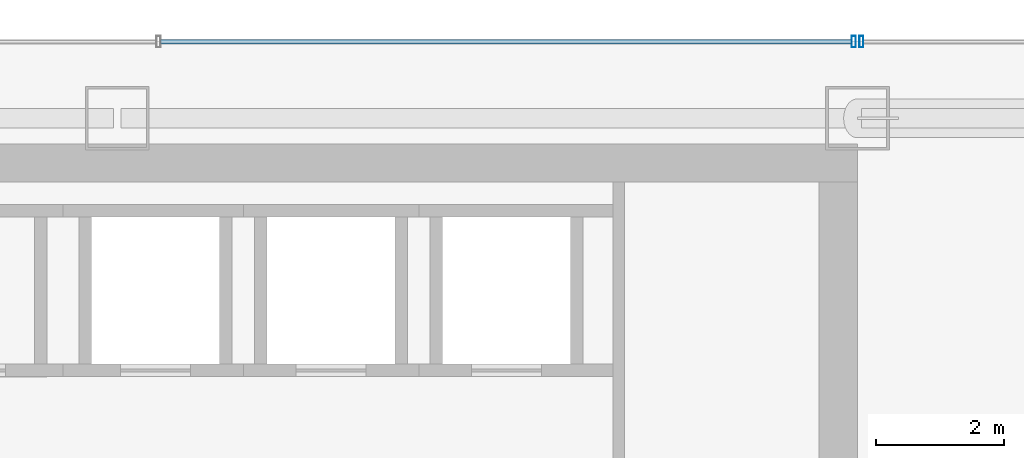
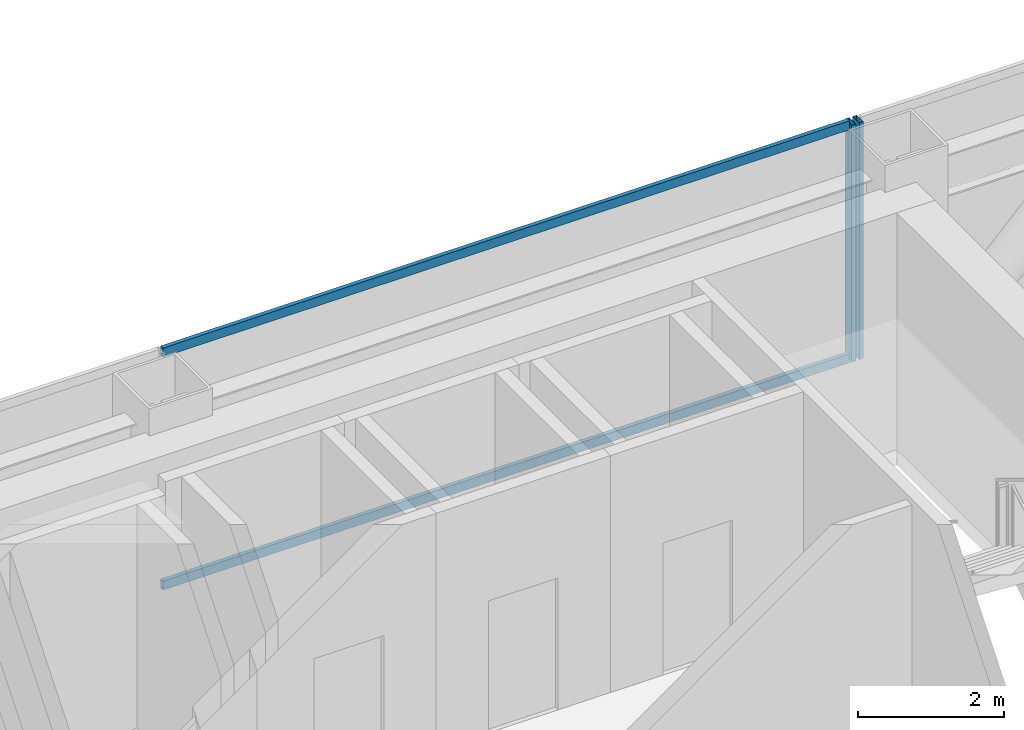
# One storey, part 26 of 36: 4 members, 2 elements without a shape of their own.
"""IFC4 building model written with IfcOpenShell, lengths in metres."""

import ifcopenshell
import ifcopenshell.guid

model = None  # the IFC model being written
_history = None  # IfcOwnerHistory: only IFC2X3 demands one
_inside = {}  # id of a spatial element -> (the spatial element, [elements in it])
_under = {}  # id of a project, library or spatial element -> (it, [spatial elements below it])
_declared = {}  # id of a project -> (the project, [libraries it declares])
_typed = {}  # id of a type object -> (the type object, [elements of that type])
_made_of = {}  # id of a material, layer set ... -> (it, [elements and type objects made of it])


def new_model(schema):
    """Start an empty IFC model of exactly this schema.

    Asked for "IFC4X3", IfcOpenShell would pick the latest addendum, in which some entities
    have other attributes; the version numbers below select the first issue.
    IFC2X3 requires an IfcOwnerHistory on every rooted entity: one is made here for all.
    """
    global model, _history
    if schema == "IFC4X3":
        model = ifcopenshell.file(schema_version=(4, 3, 0, 0))
    else:
        model = ifcopenshell.file(schema=schema)
    _inside.clear()
    _under.clear()
    _declared.clear()
    _typed.clear()
    _made_of.clear()
    _history = None
    if model.schema == "IFC2X3":
        org = make("IfcOrganization", Name="unknown")
        user = make(
            "IfcPersonAndOrganization",
            ThePerson=make("IfcPerson", FamilyName="unknown"),
            TheOrganization=org,
        )
        app = make(
            "IfcApplication",
            ApplicationDeveloper=org,
            Version="unknown",
            ApplicationFullName="unknown",
            ApplicationIdentifier="unknown",
        )
        _history = make(
            "IfcOwnerHistory",
            OwningUser=user,
            OwningApplication=app,
            ChangeAction="ADDED",
            CreationDate=0,
        )
    return model


def make(cls, **values):
    """One entity of the class cls with the attributes given. An attribute that is None is left unset."""
    return model.create_entity(
        cls, **{name: value for name, value in values.items() if value is not None}
    )


def rooted(cls, **values):
    """An entity with a GlobalId (a new one), such as an element, a storey or a relation."""
    return make(cls, GlobalId=ifcopenshell.guid.new(), OwnerHistory=_history, **values)


def si_unit(unit_type, name, prefix=None):
    """IfcSIUnit, for example si_unit("LENGTHUNIT", "METRE", prefix="MILLI")."""
    return make("IfcSIUnit", UnitType=unit_type, Prefix=prefix, Name=name)


def assignment(units):
    """IfcUnitAssignment: the units of a project."""
    return None if units is None else make("IfcUnitAssignment", Units=units)


def point(xyz):
    """IfcCartesianPoint."""
    return None if xyz is None else make("IfcCartesianPoint", Coordinates=xyz)


def direction(xyz):
    """IfcDirection."""
    return None if xyz is None else make("IfcDirection", DirectionRatios=xyz)


def frame(location, z_axis=None, x_axis=None):
    """IfcAxis2Placement3D, a coordinate frame: its origin and axes. An axis left out is left unset."""
    return make(
        "IfcAxis2Placement3D",
        Location=point(location),
        Axis=direction(z_axis),
        RefDirection=direction(x_axis),
    )


def frame_2d(location, x_axis=None):
    """IfcAxis2Placement2D, a coordinate frame in the plane: its origin and x axis."""
    return make(
        "IfcAxis2Placement2D", Location=point(location), RefDirection=direction(x_axis)
    )


def origin():
    """The frame at (0, 0, 0) with its axes left unset."""
    return frame((0.0, 0.0, 0.0))


def origin_2d():
    """The frame at (0, 0) in the plane with its x axis left unset."""
    return frame_2d((0.0, 0.0))


def place(relative_to, where):
    """IfcLocalPlacement: puts the frame where relative to a parent placement (None: the world)."""
    return make(
        "IfcLocalPlacement", PlacementRelTo=relative_to, RelativePlacement=where
    )


def context(
    kind, dimensions, precision=None, world=None, true_north=None, identifier=None
):
    """IfcGeometricRepresentationContext, for example the 3D "Model" context."""
    return make(
        "IfcGeometricRepresentationContext",
        ContextIdentifier=identifier,
        ContextType=kind,
        CoordinateSpaceDimension=dimensions,
        Precision=precision,
        WorldCoordinateSystem=world,
        TrueNorth=true_north,
    )


def subcontext(parent, identifier, kind, view, scale=None):
    """IfcGeometricRepresentationSubContext, for example "Body" below "Model"."""
    return make(
        "IfcGeometricRepresentationSubContext",
        ContextIdentifier=identifier,
        ContextType=kind,
        ParentContext=parent,
        TargetScale=scale,
        TargetView=view,
    )


def project(units=None, contexts=None):
    """IfcProject with its units and contexts."""
    return rooted(
        "IfcProject",
        Name="project",
        RepresentationContexts=contexts,
        UnitsInContext=assignment(units),
    )


def spatial(cls, under=None, at=None, **own):
    """A site, building, storey or space (cls), placed at a placement, below another one or the project."""
    s = rooted(cls, ObjectPlacement=at, **own)
    if under is not None:
        _under.setdefault(under.id(), (under, []))[1].append(s)
    return s


def profile(cls, at=None, kind="AREA", **sizes):
    """A parametric profile (cls). Its sizes go by their IFC names, for example OverallWidth=200.0."""
    return make(cls, ProfileType=kind, Position=at, **sizes)


def hollow_rectangle(**sizes):
    """IfcRectangleHollowProfileDef."""
    return profile("IfcRectangleHollowProfileDef", **sizes)


def extrude(swept, where, along, depth):
    """IfcExtrudedAreaSolid: the profile swept, set in the frame where, extruded along a direction by depth."""
    return make(
        "IfcExtrudedAreaSolid",
        SweptArea=swept,
        Position=where,
        ExtrudedDirection=direction(along),
        Depth=depth,
    )


def shape(context_of_items, identifier, shape_type, items):
    """IfcShapeRepresentation: the items that make up one representation, for example the "Body"."""
    return make(
        "IfcShapeRepresentation",
        ContextOfItems=context_of_items,
        RepresentationIdentifier=identifier,
        RepresentationType=shape_type,
        Items=items,
    )


def material(Name=None, Category=None):
    """IfcMaterial."""
    return make("IfcMaterial", Name=Name, Category=Category)


def material_profile(
    of_material, cross_section, Name=None, Category=None, Priority=None
):
    """IfcMaterialProfile: a cross section and its material."""
    return make(
        "IfcMaterialProfile",
        Name=Name,
        Material=of_material,
        Profile=cross_section,
        Priority=Priority,
        Category=Category,
    )


def profile_set(profiles, Name=None, composite=None):
    """IfcMaterialProfileSet."""
    return make(
        "IfcMaterialProfileSet",
        Name=Name,
        MaterialProfiles=profiles,
        CompositeProfile=composite,
    )


def made_of(thing, what):
    """Note that an element or type object is made of a material, layer set ...; save() writes the relation."""
    if what is not None:
        _made_of.setdefault(what.id(), (what, []))[1].append(thing)
    return thing


def type_object(cls, material=None, **own):
    """A type object (cls), such as IfcWallType, which elements share."""
    return made_of(rooted(cls, **own), material)


def element(
    cls,
    number,
    at=None,
    inside=None,
    cuts=None,
    type_object=None,
    material=None,
    context=None,
    identifier="Body",
    shape_type=None,
    held_by="IfcProductDefinitionShape",
    body=None,
    shapes=None,
    **own,
):
    """One element of the class cls, such as IfcWall. Its Tag is "e" and its number.

    at: its placement. inside: the storey or other place that contains it. cuts: it is an
    opening in that element (IfcRelVoidsElement). A single representation is given by context,
    identifier, shape_type and body (its items); several are given by shapes. held_by: the class
    of the entity that holds the representations. save() writes the other relations.
    """
    e = rooted(cls, Tag="e%d" % number, ObjectPlacement=at, **own)
    if body is not None:
        shapes = [shape(context, identifier, shape_type, body)]
    if shapes is not None:
        e.Representation = make(held_by, Representations=shapes)
    if inside is not None:
        _inside.setdefault(inside.id(), (inside, []))[1].append(e)
    if cuts is not None:
        rooted(
            "IfcRelVoidsElement", RelatingBuildingElement=cuts, RelatedOpeningElement=e
        )
    if type_object is not None:
        _typed.setdefault(type_object.id(), (type_object, []))[1].append(e)
    return made_of(e, material)


def aggregate(whole, parts):
    """IfcRelAggregates: a whole, such as a stair, and the parts it consists of."""
    return rooted("IfcRelAggregates", RelatingObject=whole, RelatedObjects=parts)


def save(model, path):
    """Write the relations noted so far, then the file.

    IfcRelAggregates (storeys below a building ...), IfcRelContainedInSpatialStructure (elements
    in a storey), IfcRelDefinesByType, IfcRelAssociatesMaterial and IfcRelDeclares: one each for
    every whole, place, type object, material and project.
    """
    for whole, parts in _under.values():
        aggregate(whole, parts)
    for where, things in _inside.values():
        rooted(
            "IfcRelContainedInSpatialStructure",
            RelatedElements=things,
            RelatingStructure=where,
        )
    for kind, things in _typed.values():
        rooted("IfcRelDefinesByType", RelatedObjects=things, RelatingType=kind)
    for what, things in _made_of.values():
        rooted("IfcRelAssociatesMaterial", RelatedObjects=things, RelatingMaterial=what)
    for by, libraries in _declared.values():
        rooted("IfcRelDeclares", RelatingContext=by, RelatedDefinitions=libraries)
    model.write(path)


model = new_model("IFC4")

# Units and contexts
model_context = context("Model", 3, precision=1e-05, world=origin(), true_north=direction((0.0, 1.0)))
body_context = subcontext(model_context, "Body", "Model", "MODEL_VIEW")
ifc_project = project(units=[si_unit("LENGTHUNIT", "METRE"), si_unit("AREAUNIT", "SQUARE_METRE"), si_unit("VOLUMEUNIT", "CUBIC_METRE"), si_unit("PLANEANGLEUNIT", "RADIAN"), si_unit("MASSUNIT", "GRAM", prefix="KILO")], contexts=[model_context])

# Site, building, storey
site_placement = place(None, origin())
site = spatial("IfcSite", under=ifc_project, at=site_placement, CompositionType="ELEMENT")
building_placement = place(site_placement, origin())
building = spatial("IfcBuilding", under=site, at=building_placement, Name="Saevonmaru Cultural Tower", CompositionType="ELEMENT")
storey_placement = place(building_placement, frame((0.0, 0.0, 119.199951171875)))
storey = spatial("IfcBuildingStorey", under=building, at=storey_placement, Name="L25", CompositionType="ELEMENT", Elevation=119.199951171875)

# Curtain wall, member
ifc_material = material(Name="Satin Bronze Anodised Aluminium", Category="aluminium")
curtain_wall_type = type_object("IfcCurtainWallType", Name="CW-TYP-A", PredefinedType="NOTDEFINED", material=ifc_material)
curtain_wall_1_placement = place(storey_placement, origin())
curtain_wall_1 = element("IfcCurtainWall", 1, at=curtain_wall_1_placement, inside=storey, type_object=curtain_wall_type, Name="L25 East Braced Bay Spandrel Curtain Wall E10A", PredefinedType="NOTDEFINED")
ifc_material_profile_1 = material_profile(ifc_material, hollow_rectangle(XDim=0.06494140625, YDim=0.179931640625, WallThickness=0.00390625, at=origin_2d()), Name="ALU-MULL-180x65x4")
ifc_profile_set_1 = profile_set([ifc_material_profile_1], Name="Satin Bronze Anodised Aluminium")
member_type_1 = type_object("IfcMemberType", Name="ML-CW-180x65", PredefinedType="MULLION", material=ifc_profile_set_1)
member_1_placement = place(storey_placement, frame((46.4599609375, 56.0, 0.0), z_axis=(0.0, 0.0, 1.0), x_axis=(-1.0, 0.0, 0.0)))
member_1 = element("IfcMember", 2, at=member_1_placement, type_object=member_type_1, Name="CW-TW-L25-E10A mullion 2", PredefinedType="MULLION", context=body_context, shape_type="SweptSolid", body=[
    extrude(hollow_rectangle(XDim=0.06494140625, YDim=0.179931640625, WallThickness=0.00390625, at=origin_2d()), origin(), (0.0, 0.0, 1.0), 3.949951171875),
])
aggregate(curtain_wall_1, [member_1])

# Curtain wall, members
curtain_wall_2_placement = place(storey_placement, origin())
curtain_wall_2 = element("IfcCurtainWall", 3, at=curtain_wall_2_placement, inside=storey, type_object=curtain_wall_type, Name="L25 North Spine Unitised Curtain Wall E10B", PredefinedType="NOTDEFINED")
member_2_placement = place(storey_placement, frame((46.340087890625, 56.0, 0.0), z_axis=(0.0, 0.0, 1.0), x_axis=(-1.0, 0.0, 0.0)))
member_2 = element("IfcMember", 4, at=member_2_placement, type_object=member_type_1, Name="CW-TW-L25-E10B mullion 1", PredefinedType="MULLION", context=body_context, shape_type="SweptSolid", body=[
    extrude(hollow_rectangle(XDim=0.06494140625, YDim=0.179931640625, WallThickness=0.00390625, at=origin_2d()), origin(), (0.0, 0.0, 1.0), 3.949951171875),
])
ifc_material_profile_2 = material_profile(ifc_material, hollow_rectangle(XDim=0.06494140625, YDim=0.14990234375, WallThickness=0.00390625, at=origin_2d()), Name="ALU-TRAN-150x65x4")
ifc_profile_set_2 = profile_set([ifc_material_profile_2], Name="Satin Bronze Anodised Aluminium")
member_type_2 = type_object("IfcMemberType", Name="TR-CW-150x65", PredefinedType="USERDEFINED", material=ifc_profile_set_2)
member_3_placement = place(storey_placement, frame((46.3076171875, 56.0, 0.032470703125), z_axis=(-1.0, 0.0, 0.0), x_axis=(0.0, -1.0, 0.0)))
member_3 = element("IfcMember", 5, at=member_3_placement, type_object=member_type_2, Name="CW-TW-L25-E10B transom 1.1", ObjectType="TRANSOM", PredefinedType="USERDEFINED", context=body_context, shape_type="SweptSolid", body=[
    extrude(hollow_rectangle(XDim=0.06494140625, YDim=0.14990234375, WallThickness=0.00390625, at=origin_2d()), origin(), (0.0, 0.0, 1.0), 10.828369140625),
])
member_4_placement = place(storey_placement, frame((46.3076171875, 56.0, 3.91748046875), z_axis=(-1.0, 0.0, 0.0), x_axis=(0.0, -1.0, 0.0)))
member_4 = element("IfcMember", 6, at=member_4_placement, type_object=member_type_2, Name="CW-TW-L25-E10B transom 1.2", ObjectType="TRANSOM", PredefinedType="USERDEFINED", context=body_context, shape_type="SweptSolid", body=[
    extrude(hollow_rectangle(XDim=0.06494140625, YDim=0.14990234375, WallThickness=0.00390625, at=origin_2d()), origin(), (0.0, 0.0, 1.0), 10.828369140625),
])
aggregate(curtain_wall_2, [member_2, member_3, member_4])

save(model, "model.ifc")
